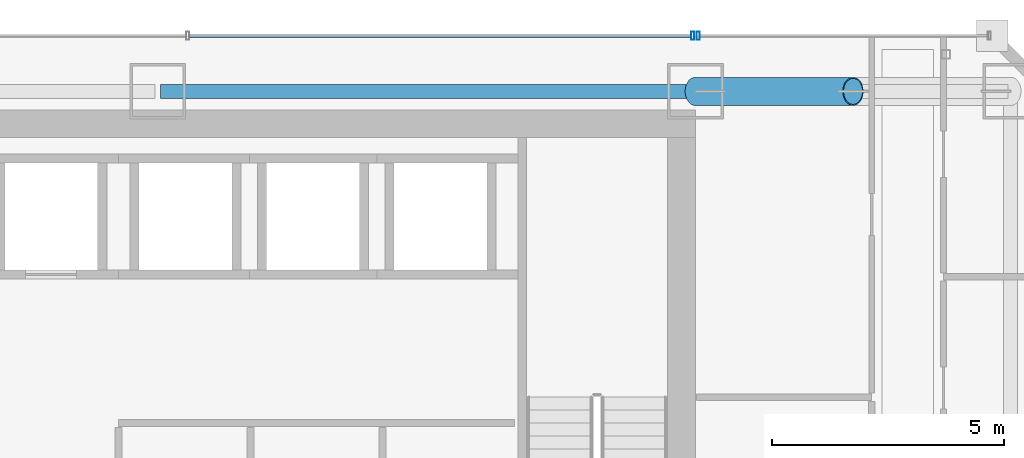
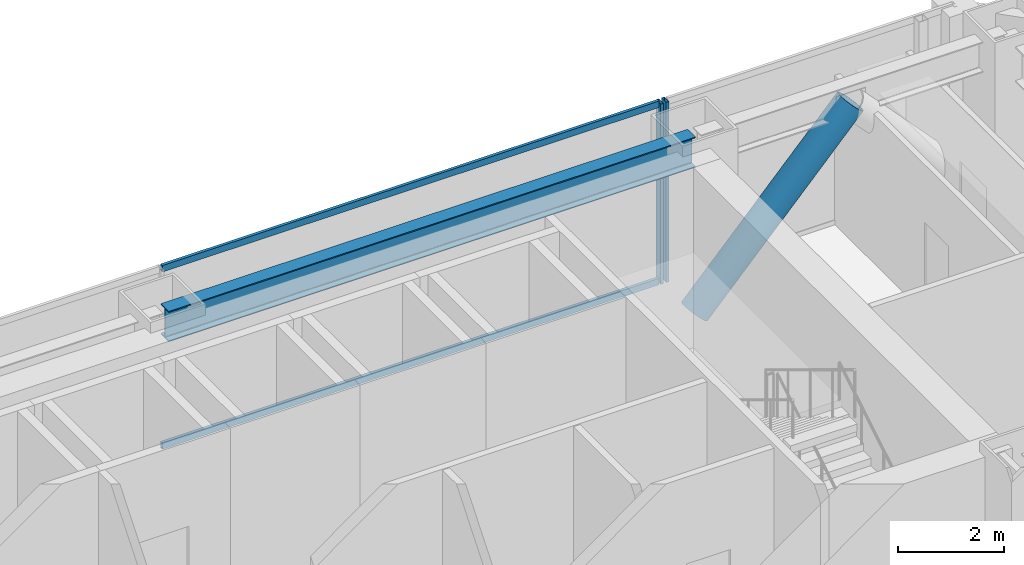
# One storey, part 32 of 49: 5 members, 1 beam, 2 elements without a shape of their own.
"""IFC4 building model written with IfcOpenShell, lengths in metres."""

from ifc_helpers import new_model, si_unit, direction, frame, origin, origin_2d, place, context, subcontext, project, spatial, hollow_rectangle, hollow_circle, i_section, extrude, material, material_profile, profile_set, type_object, element, aggregate, save


model = new_model("IFC4")

# Units and contexts
model_context = context("Model", 3, precision=1e-05, world=origin(), true_north=direction((0.0, 1.0)))
body_context = subcontext(model_context, "Body", "Model", "MODEL_VIEW")
ifc_project = project(units=[si_unit("LENGTHUNIT", "METRE"), si_unit("AREAUNIT", "SQUARE_METRE"), si_unit("VOLUMEUNIT", "CUBIC_METRE"), si_unit("PLANEANGLEUNIT", "RADIAN"), si_unit("MASSUNIT", "GRAM", prefix="KILO")], contexts=[model_context])

# Site, building, storey
site_placement = place(None, origin())
site = spatial("IfcSite", under=ifc_project, at=site_placement, CompositionType="ELEMENT")
building_placement = place(site_placement, origin())
building = spatial("IfcBuilding", under=site, at=building_placement, Name="Saevonmaru Cultural Tower", CompositionType="ELEMENT")
storey_placement = place(building_placement, frame((0.0, 0.0, 38.39990234375)))
storey = spatial("IfcBuildingStorey", under=building, at=storey_placement, Name="L07", CompositionType="ELEMENT", Elevation=38.39990234375)

# Beam
ifc_material_1 = material(Name="Steel SM355", Category="steel")
ifc_material_profile_1 = material_profile(ifc_material_1, i_section(OverallWidth=0.300048828125, OverallDepth=0.699951171875, WebThickness=0.012939453125, FlangeThickness=0.02392578125, FilletRadius=0.02587890625, at=origin_2d()), Name="H-700x300x13x24")
ifc_profile_set_1 = profile_set([ifc_material_profile_1], Name="Steel SM355")
beam_type = type_object("IfcBeamType", Name="BM-SP-H700", PredefinedType="SPANDREL", material=ifc_profile_set_1)
beam_placement = place(storey_placement, frame((34.860107421875, 54.800048828125, 3.800048828125), z_axis=(1.0, 0.0, 0.0), x_axis=(0.0, 1.0, 0.0)))
element("IfcBeam", 1, at=beam_placement, inside=storey, type_object=beam_type, Name="L07 North Spine Girder 4", PredefinedType="SPANDREL", context=body_context, shape_type="SweptSolid", body=[
    extrude(i_section(OverallWidth=0.300048828125, OverallDepth=0.699951171875, WebThickness=0.012939453125, FlangeThickness=0.02392578125, FilletRadius=0.02587890625, at=origin_2d()), origin(), (0.0, 0.0, 1.0), 11.47998046875),
])

# Member
ifc_material_2 = material(Name="Steel HSA600 (600 MPa)", Category="steel")
ifc_material_profile_2 = material_profile(ifc_material_2, hollow_circle(Radius=0.3046875, WallThickness=0.02490234375, at=origin_2d()), Name="CHS-609.6x25")
ifc_profile_set_2 = profile_set([ifc_material_profile_2], Name="Steel HSA600 (600 MPa)")
member_type_1 = type_object("IfcMemberType", Name="MB-PBR-CHS610", PredefinedType="BRACE", material=ifc_profile_set_2)
member_1_placement = place(storey_placement, frame((46.39990234375, 54.800048828125, 0.02001953125), z_axis=(0.681604731977, 0.0, 0.731720567803), x_axis=(0.0, 1.0, 0.0)))
element("IfcMember", 2, at=member_1_placement, inside=storey, type_object=member_type_1, Name="L07 Perimeter Braced-Tube Diagonal EN1", PredefinedType="BRACE", context=body_context, shape_type="SweptSolid", body=[
    extrude(hollow_circle(Radius=0.3046875, WallThickness=0.02490234375, at=origin_2d()), origin(), (0.0, 0.0, 1.0), 4.988525390625),
])

# Curtain wall, member
ifc_material_3 = material(Name="Satin Bronze Anodised Aluminium", Category="aluminium")
curtain_wall_type = type_object("IfcCurtainWallType", Name="CW-TYP-A", PredefinedType="NOTDEFINED", material=ifc_material_3)
curtain_wall_1_placement = place(storey_placement, origin())
curtain_wall_1 = element("IfcCurtainWall", 3, at=curtain_wall_1_placement, inside=storey, type_object=curtain_wall_type, Name="L07 East Braced Bay Spandrel Curtain Wall E10A", PredefinedType="NOTDEFINED")
ifc_material_profile_3 = material_profile(ifc_material_3, hollow_rectangle(XDim=0.06494140625, YDim=0.179931640625, WallThickness=0.00390625, at=origin_2d()), Name="ALU-MULL-180x65x4")
ifc_profile_set_3 = profile_set([ifc_material_profile_3], Name="Satin Bronze Anodised Aluminium")
member_type_2 = type_object("IfcMemberType", Name="ML-CW-180x65", PredefinedType="MULLION", material=ifc_profile_set_3)
member_2_placement = place(storey_placement, frame((46.4599609375, 56.0, 0.0), z_axis=(0.0, 0.0, 1.0), x_axis=(-1.0, 0.0, 0.0)))
member_2 = element("IfcMember", 4, at=member_2_placement, type_object=member_type_2, Name="CW-TW-L07-E10A mullion 2", PredefinedType="MULLION", context=body_context, shape_type="SweptSolid", body=[
    extrude(hollow_rectangle(XDim=0.06494140625, YDim=0.179931640625, WallThickness=0.00390625, at=origin_2d()), origin(), (0.0, 0.0, 1.0), 4.150146484375),
])
aggregate(curtain_wall_1, [member_2])

# Curtain wall, members
curtain_wall_2_placement = place(storey_placement, origin())
curtain_wall_2 = element("IfcCurtainWall", 5, at=curtain_wall_2_placement, inside=storey, type_object=curtain_wall_type, Name="L07 North Spine Unitised Curtain Wall E10B", PredefinedType="NOTDEFINED")
member_3_placement = place(storey_placement, frame((46.340087890625, 56.0, 0.0), z_axis=(0.0, 0.0, 1.0), x_axis=(-1.0, 0.0, 0.0)))
member_3 = element("IfcMember", 6, at=member_3_placement, type_object=member_type_2, Name="CW-TW-L07-E10B mullion 1", PredefinedType="MULLION", context=body_context, shape_type="SweptSolid", body=[
    extrude(hollow_rectangle(XDim=0.06494140625, YDim=0.179931640625, WallThickness=0.00390625, at=origin_2d()), origin(), (0.0, 0.0, 1.0), 4.150146484375),
])
ifc_material_profile_4 = material_profile(ifc_material_3, hollow_rectangle(XDim=0.06494140625, YDim=0.14990234375, WallThickness=0.00390625, at=origin_2d()), Name="ALU-TRAN-150x65x4")
ifc_profile_set_4 = profile_set([ifc_material_profile_4], Name="Satin Bronze Anodised Aluminium")
member_type_3 = type_object("IfcMemberType", Name="TR-CW-150x65", PredefinedType="USERDEFINED", material=ifc_profile_set_4)
member_4_placement = place(storey_placement, frame((46.3076171875, 56.0, 0.03271484375), z_axis=(-1.0, 0.0, 0.0), x_axis=(0.0, -1.0, 0.0)))
member_4 = element("IfcMember", 7, at=member_4_placement, type_object=member_type_3, Name="CW-TW-L07-E10B transom 1.1", ObjectType="TRANSOM", PredefinedType="USERDEFINED", context=body_context, shape_type="SweptSolid", body=[
    extrude(hollow_rectangle(XDim=0.06494140625, YDim=0.14990234375, WallThickness=0.00390625, at=origin_2d()), origin(), (0.0, 0.0, 1.0), 10.828369140625),
])
member_5_placement = place(storey_placement, frame((46.3076171875, 56.0, 4.11767578125), z_axis=(-1.0, 0.0, 0.0), x_axis=(0.0, -1.0, 0.0)))
member_5 = element("IfcMember", 8, at=member_5_placement, type_object=member_type_3, Name="CW-TW-L07-E10B transom 1.2", ObjectType="TRANSOM", PredefinedType="USERDEFINED", context=body_context, shape_type="SweptSolid", body=[
    extrude(hollow_rectangle(XDim=0.06494140625, YDim=0.14990234375, WallThickness=0.00390625, at=origin_2d()), origin(), (0.0, 0.0, 1.0), 10.828369140625),
])
aggregate(curtain_wall_2, [member_3, member_4, member_5])

save(model, "model.ifc")
